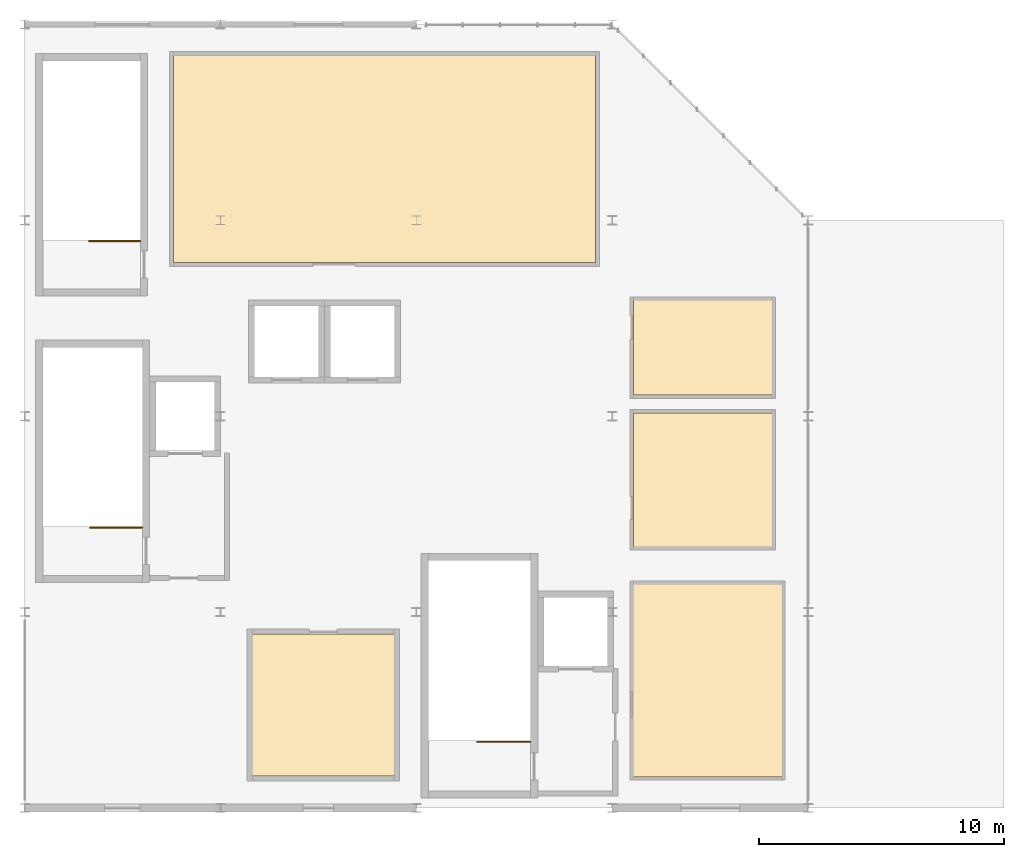
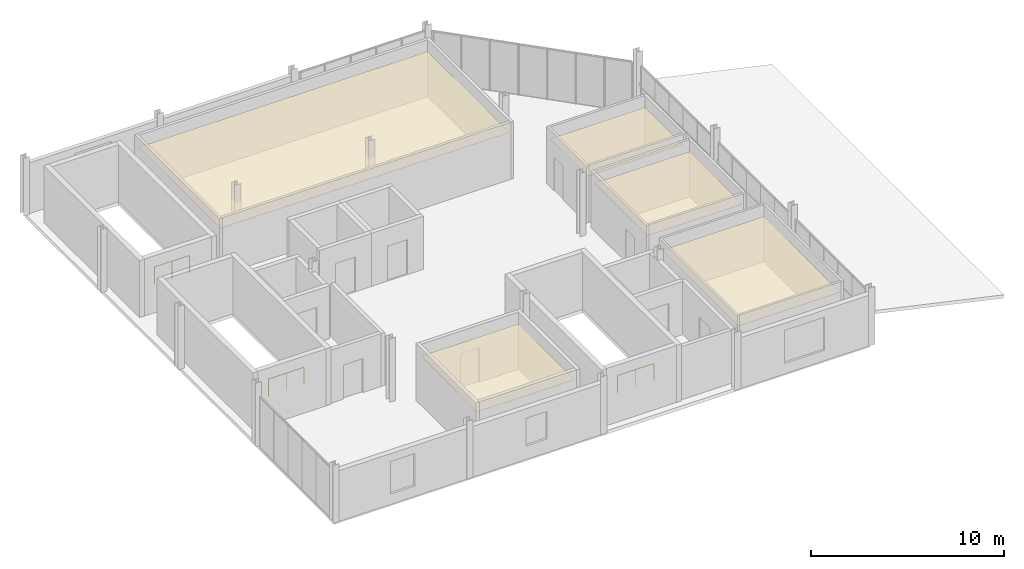
# One storey, part 7 of 7: 5 coverings, 3 railings.
"""IFC4 building model written with IfcOpenShell, lengths in metres."""

from ifc_helpers import new_model, si_unit, direction, frame, origin, origin_2d, place, context, subcontext, project, spatial, polyline, circle, outline, extrude, material, layer, layer_set, type_object, element, save


model = new_model("IFC4")

# Units and contexts
model_context = context("Model", 3, precision=1e-05, world=origin(), true_north=direction((0.0, 1.0)))
body_context = subcontext(model_context, "Body", "Model", "MODEL_VIEW")
ifc_project = project(units=[si_unit("LENGTHUNIT", "METRE"), si_unit("AREAUNIT", "SQUARE_METRE"), si_unit("VOLUMEUNIT", "CUBIC_METRE"), si_unit("PLANEANGLEUNIT", "RADIAN"), si_unit("MASSUNIT", "GRAM", prefix="KILO")], contexts=[model_context])

# Site, building, storey
site_placement = place(None, origin())
site = spatial("IfcSite", under=ifc_project, at=site_placement, CompositionType="ELEMENT")
building_placement = place(site_placement, origin())
building = spatial("IfcBuilding", under=site, at=building_placement, Name="Drelvath Fold Interchange", CompositionType="ELEMENT")
storey_placement = place(building_placement, frame((0.0, 0.0, 24.0)))
storey = spatial("IfcBuildingStorey", under=building, at=storey_placement, Name="L05", CompositionType="ELEMENT", Elevation=24.0)

# Coverings
ifc_material_1 = material(Name="Perforated Aluminium Acoustic Ceiling", Category="aluminium")
ifc_layer_1 = layer(ifc_material_1, 0.01806640625, Name="Perforated Aluminium Acoustic Ceiling")
ifc_layer_set_1 = layer_set([ifc_layer_1], Name="Perforated Aluminium Acoustic Ceiling")
covering_type_1 = type_object("IfcCoveringType", Name="CV-CEIL-AL18", PredefinedType="CEILING", material=ifc_layer_set_1)
covering_1_placement = place(storey_placement, frame((0.0, 0.0, 2.830078125)))
element("IfcCovering", 1, at=covering_1_placement, inside=storey, type_object=covering_type_1, Name="SCADA Telemetry Supervision Room acoustic ceiling", PredefinedType="CEILING", context=body_context, shape_type="SweptSolid", body=[
    extrude(outline(polyline([(28.85498046875, 4.2548828125), (34.945068359375, 4.2548828125), (34.945068359375, 12.14501953125), (28.85498046875, 12.14501953125), (28.85498046875, 4.2548828125)])), origin(), (0.0, 0.0, 1.0), 0.02001953125),
])
covering_2_placement = place(storey_placement, frame((0.0, 0.0, 2.830078125)))
element("IfcCovering", 2, at=covering_2_placement, inside=storey, type_object=covering_type_1, Name="Crown Dedicated AHU Plant Room acoustic ceiling", PredefinedType="CEILING", context=body_context, shape_type="SweptSolid", body=[
    extrude(outline(polyline([(13.294921875, 4.294921875), (19.10498046875, 4.294921875), (19.10498046875, 10.10498046875), (13.294921875, 10.10498046875), (13.294921875, 4.294921875)])), origin(), (0.0, 0.0, 1.0), 0.02001953125),
])
ifc_layer_2 = layer(ifc_material_1, 0.02392578125, Name="Perforated Aluminium Acoustic Ceiling")
ifc_layer_set_2 = layer_set([ifc_layer_2], Name="Perforated Aluminium Acoustic Ceiling")
covering_type_2 = type_object("IfcCoveringType", Name="CV-CEIL-AL24", PredefinedType="CEILING", material=ifc_layer_set_2)
covering_3_placement = place(storey_placement, frame((0.0, 0.0, 2.830078125)))
element("IfcCovering", 3, at=covering_3_placement, inside=storey, type_object=covering_type_2, Name="Central Network Control Theatre acoustic ceiling", PredefinedType="CEILING", context=body_context, shape_type="SweptSolid", body=[
    extrude(outline(polyline([(10.074951171875, 25.27490234375), (27.324951171875, 25.27490234375), (27.324951171875, 33.72509765625), (10.074951171875, 33.72509765625), (10.074951171875, 25.27490234375)])), origin(), (0.0, 0.0, 1.0), 0.02001953125),
])
covering_4_placement = place(storey_placement, frame((0.0, 0.0, 2.830078125)))
element("IfcCovering", 4, at=covering_4_placement, inside=storey, type_object=covering_type_2, Name="Control Theatre Staff Toilet acoustic ceiling", PredefinedType="CEILING", context=body_context, shape_type="SweptSolid", body=[
    extrude(outline(polyline([(28.863037109375, 13.662109375), (34.5380859375, 13.662109375), (34.5380859375, 19.136962890625), (28.863037109375, 19.136962890625), (28.863037109375, 13.662109375)])), origin(), (0.0, 0.0, 1.0), 0.02001953125),
])
covering_5_placement = place(storey_placement, frame((0.0, 0.0, 2.830078125)))
element("IfcCovering", 5, at=covering_5_placement, inside=storey, type_object=covering_type_2, Name="Control Theatre Accessible WC acoustic ceiling", PredefinedType="CEILING", context=body_context, shape_type="SweptSolid", body=[
    extrude(outline(polyline([(28.863037109375, 19.863037109375), (34.5380859375, 19.863037109375), (34.5380859375, 23.738037109375), (28.863037109375, 23.738037109375), (28.863037109375, 19.863037109375)])), origin(), (0.0, 0.0, 1.0), 0.02001953125),
])

# Railings
ifc_material_2 = material(Name="Stainless Steel 316L", Category="steel")
railing_type = type_object("IfcRailingType", Name="RL-GRD1100", PredefinedType="GUARDRAIL", material=ifc_material_2)
railing_1_placement = place(storey_placement, frame((8.81005859375, 14.449951171875, 0.0)))
element("IfcRailing", 6, at=railing_1_placement, inside=storey, type_object=railing_type, Name="L05 ST-01 top well guard 1", PredefinedType="GUARDRAIL", context=body_context, shape_type="SweptSolid", body=[
    extrude(circle(Radius=0.02392578125, at=origin_2d()), frame((0.0, 0.0, 1.076171875), z_axis=(-1.0, 0.0, 0.0), x_axis=(0.0, -1.0, 0.0)), (0.0, 0.0, 1.0), 2.130126953125),
    extrude(circle(Radius=0.02099609375, at=origin_2d()), origin(), (0.0, 0.0, 1.0), 1.052001953125),
    extrude(circle(Radius=0.02099609375, at=origin_2d()), frame((-1.06494140625, 0.0, 0.0)), (0.0, 0.0, 1.0), 1.052001953125),
    extrude(circle(Radius=0.02099609375, at=origin_2d()), frame((-2.130126953125, 0.0, 0.0)), (0.0, 0.0, 1.0), 1.052001953125),
])
railing_2_placement = place(storey_placement, frame((8.72998046875, 26.14990234375, 0.0)))
element("IfcRailing", 7, at=railing_2_placement, inside=storey, type_object=railing_type, Name="L05 ST-02 top well guard 1", PredefinedType="GUARDRAIL", context=body_context, shape_type="SweptSolid", body=[
    extrude(circle(Radius=0.02392578125, at=origin_2d()), frame((0.0, 0.0, 1.076171875), z_axis=(-1.0, 0.0, 0.0), x_axis=(0.0, -1.0, 0.0)), (0.0, 0.0, 1.0), 2.090087890625),
    extrude(circle(Radius=0.02099609375, at=origin_2d()), origin(), (0.0, 0.0, 1.0), 1.052001953125),
    extrude(circle(Radius=0.02099609375, at=origin_2d()), frame((-1.044921875, 0.0, 0.0)), (0.0, 0.0, 1.0), 1.052001953125),
    extrude(circle(Radius=0.02099609375, at=origin_2d()), frame((-2.090087890625, 0.0, 0.0)), (0.0, 0.0, 1.0), 1.052001953125),
])
railing_3_placement = place(storey_placement, frame((24.659912109375, 5.699951171875, 0.0)))
element("IfcRailing", 8, at=railing_3_placement, inside=storey, type_object=railing_type, Name="L05 ST-03 top well guard 1", PredefinedType="GUARDRAIL", context=body_context, shape_type="SweptSolid", body=[
    extrude(circle(Radius=0.02392578125, at=origin_2d()), frame((0.0, 0.0, 1.076171875), z_axis=(-1.0, 0.0, 0.0), x_axis=(0.0, -1.0, 0.0)), (0.0, 0.0, 1.0), 2.179931640625),
    extrude(circle(Radius=0.02099609375, at=origin_2d()), origin(), (0.0, 0.0, 1.0), 1.052001953125),
    extrude(circle(Radius=0.02099609375, at=origin_2d()), frame((-1.08984375, 0.0, 0.0)), (0.0, 0.0, 1.0), 1.052001953125),
    extrude(circle(Radius=0.02099609375, at=origin_2d()), frame((-2.179931640625, 0.0, 0.0)), (0.0, 0.0, 1.0), 1.052001953125),
])

save(model, "model.ifc")
